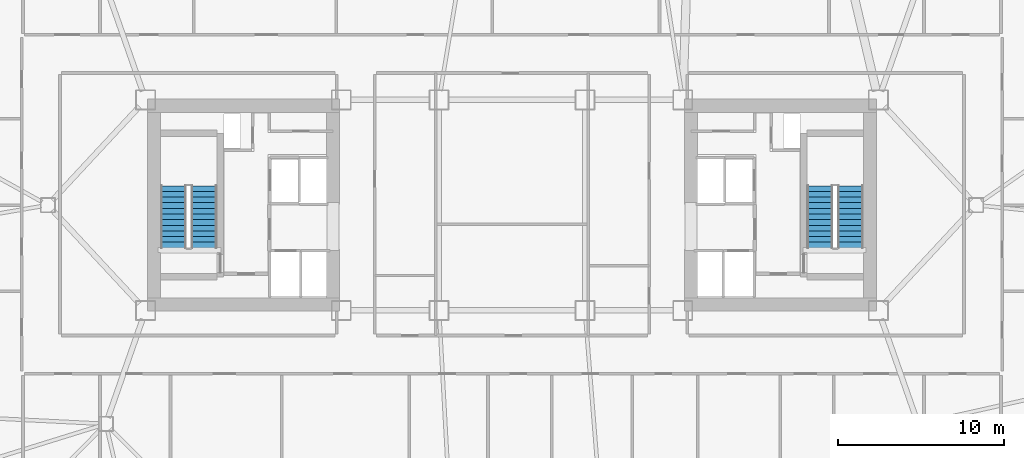
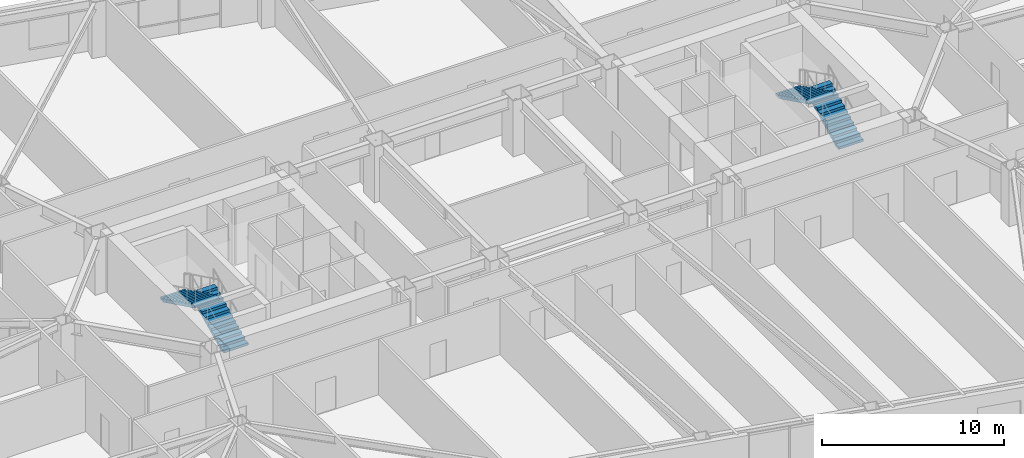
# One storey, part 18 of 23: 4 stair flights, 2 elements without a shape of their own.
"""IFC4 building model written with IfcOpenShell, lengths in metres."""

from ifc_helpers import new_model, si_unit, direction, frame, origin, place, context, subcontext, project, spatial, polyline, outline, extrude, material, type_object, element, aggregate, save


model = new_model("IFC4")

# Units and contexts
model_context = context("Model", 3, precision=1e-05, world=origin(), true_north=direction((0.0, 1.0)))
body_context = subcontext(model_context, "Body", "Model", "MODEL_VIEW")
ifc_project = project(units=[si_unit("LENGTHUNIT", "METRE"), si_unit("AREAUNIT", "SQUARE_METRE"), si_unit("VOLUMEUNIT", "CUBIC_METRE"), si_unit("PLANEANGLEUNIT", "RADIAN"), si_unit("MASSUNIT", "GRAM", prefix="KILO")], contexts=[model_context])

# Site, building, storey
site_placement = place(None, origin())
site = spatial("IfcSite", under=ifc_project, at=site_placement, CompositionType="ELEMENT")
building_placement = place(site_placement, origin())
building = spatial("IfcBuilding", under=site, at=building_placement, Name="Tavrogorsk Clinical Tower", CompositionType="ELEMENT")
storey_placement = place(building_placement, frame((0.0, 0.0, 63.39990234375)))
storey = spatial("IfcBuildingStorey", under=building, at=storey_placement, Name="L13", CompositionType="ELEMENT", Elevation=63.39990234375)

# Stair, stair flights
ifc_material_1 = material(Name="Concrete B60", Category="concrete")
stair_type = type_object("IfcStairType", Name="CoreStairAssembly", PredefinedType="HALF_TURN_STAIR", material=ifc_material_1)
stair_1_placement = place(storey_placement, origin())
stair_1 = element("IfcStair", 1, at=stair_1_placement, inside=storey, type_object=stair_type, Name="L13 ST-W", PredefinedType="HALF_TURN_STAIR")
ifc_material_2 = material(Name="Concrete B60", Category="concrete")
stair_flight_type = type_object("IfcStairFlightType", Name="CoreStairFlight", PredefinedType="STRAIGHT", material=ifc_material_2)
stair_flight_1_placement = place(storey_placement, frame((-18.574951171875, -2.574951171875, 0.0), z_axis=(0.0, 0.0, 1.0), x_axis=(0.0, 1.0, 0.0)))
stair_flight_1 = element("IfcStairFlight", 2, at=stair_flight_1_placement, type_object=stair_flight_type, Name="ST-W flight 1", NumberOfRisers=12, NumberOfTreads=11, PredefinedType="STRAIGHT", RiserHeight=0.166666667, TreadLength=0.34, context=body_context, shape_type="SweptSolid", body=[
    extrude(outline(polyline([(0.0, 0.0), (0.0, 0.166748046875), (0.340087890625, 0.166748046875), (0.340087890625, 0.333251953125), (0.679931640625, 0.333251953125), (0.679931640625, 0.5), (1.02001953125, 0.5), (1.02001953125, 0.666748046875), (1.360107421875, 0.666748046875), (1.360107421875, 0.833251953125), (1.699951171875, 0.833251953125), (1.699951171875, 1.0), (2.0400390625, 1.0), (2.0400390625, 1.166748046875), (2.3798828125, 1.166748046875), (2.3798828125, 1.333251953125), (2.719970703125, 1.333251953125), (2.719970703125, 1.5), (3.06005859375, 1.5), (3.06005859375, 1.666748046875), (3.39990234375, 1.666748046875), (3.39990234375, 1.833251953125), (3.739990234375, 1.833251953125), (3.739990234375, 2.0), (3.739990234375, 1.66650390625), (0.340576171875, 0.0), (0.0, 0.0)])), frame((0.0, 0.77490234375, 0.0), z_axis=(0.0, -1.0, 0.0), x_axis=(1.0, 0.0, 0.0)), (0.0, 0.0, 1.0), 1.550048828125),
])
stair_flight_2_placement = place(storey_placement, frame((-20.425048828125, 1.1650390625, 2.0), z_axis=(0.0, 0.0, 1.0), x_axis=(0.0, -1.0, 0.0)))
stair_flight_2 = element("IfcStairFlight", 3, at=stair_flight_2_placement, type_object=stair_flight_type, Name="ST-W flight 2", NumberOfRisers=12, NumberOfTreads=11, PredefinedType="STRAIGHT", RiserHeight=0.166666667, TreadLength=0.34, context=body_context, shape_type="SweptSolid", body=[
    extrude(outline(polyline([(0.0, 0.0), (0.0, 0.166748046875), (0.340087890625, 0.166748046875), (0.340087890625, 0.333251953125), (0.679931640625, 0.333251953125), (0.679931640625, 0.5), (1.02001953125, 0.5), (1.02001953125, 0.666748046875), (1.360107421875, 0.666748046875), (1.360107421875, 0.833251953125), (1.699951171875, 0.833251953125), (1.699951171875, 1.0), (2.0400390625, 1.0), (2.0400390625, 1.166748046875), (2.3798828125, 1.166748046875), (2.3798828125, 1.333251953125), (2.719970703125, 1.333251953125), (2.719970703125, 1.5), (3.06005859375, 1.5), (3.06005859375, 1.666748046875), (3.39990234375, 1.666748046875), (3.39990234375, 1.833251953125), (3.739990234375, 1.833251953125), (3.739990234375, 2.0), (3.739990234375, 1.66650390625), (0.340576171875, 0.0), (0.0, 0.0)])), frame((0.0, 0.77490234375, 0.0), z_axis=(0.0, -1.0, 0.0), x_axis=(1.0, 0.0, 0.0)), (0.0, 0.0, 1.0), 1.550048828125),
])
aggregate(stair_1, [stair_flight_1, stair_flight_2])

stair_2_placement = place(storey_placement, origin())
stair_2 = element("IfcStair", 4, at=stair_2_placement, inside=storey, type_object=stair_type, Name="L13 ST-E", PredefinedType="HALF_TURN_STAIR")
stair_flight_3_placement = place(storey_placement, frame((20.425048828125, -2.574951171875, 0.0), z_axis=(0.0, 0.0, 1.0), x_axis=(0.0, 1.0, 0.0)))
stair_flight_3 = element("IfcStairFlight", 5, at=stair_flight_3_placement, type_object=stair_flight_type, Name="ST-E flight 1", NumberOfRisers=12, NumberOfTreads=11, PredefinedType="STRAIGHT", RiserHeight=0.166666667, TreadLength=0.34, context=body_context, shape_type="SweptSolid", body=[
    extrude(outline(polyline([(0.0, 0.0), (0.0, 0.166748046875), (0.340087890625, 0.166748046875), (0.340087890625, 0.333251953125), (0.679931640625, 0.333251953125), (0.679931640625, 0.5), (1.02001953125, 0.5), (1.02001953125, 0.666748046875), (1.360107421875, 0.666748046875), (1.360107421875, 0.833251953125), (1.699951171875, 0.833251953125), (1.699951171875, 1.0), (2.0400390625, 1.0), (2.0400390625, 1.166748046875), (2.3798828125, 1.166748046875), (2.3798828125, 1.333251953125), (2.719970703125, 1.333251953125), (2.719970703125, 1.5), (3.06005859375, 1.5), (3.06005859375, 1.666748046875), (3.39990234375, 1.666748046875), (3.39990234375, 1.833251953125), (3.739990234375, 1.833251953125), (3.739990234375, 2.0), (3.739990234375, 1.66650390625), (0.340576171875, 0.0), (0.0, 0.0)])), frame((0.0, 0.77490234375, 0.0), z_axis=(0.0, -1.0, 0.0), x_axis=(1.0, 0.0, 0.0)), (0.0, 0.0, 1.0), 1.550048828125),
])
stair_flight_4_placement = place(storey_placement, frame((18.574951171875, 1.1650390625, 2.0), z_axis=(0.0, 0.0, 1.0), x_axis=(0.0, -1.0, 0.0)))
stair_flight_4 = element("IfcStairFlight", 6, at=stair_flight_4_placement, type_object=stair_flight_type, Name="ST-E flight 2", NumberOfRisers=12, NumberOfTreads=11, PredefinedType="STRAIGHT", RiserHeight=0.166666667, TreadLength=0.34, context=body_context, shape_type="SweptSolid", body=[
    extrude(outline(polyline([(0.0, 0.0), (0.0, 0.166748046875), (0.340087890625, 0.166748046875), (0.340087890625, 0.333251953125), (0.679931640625, 0.333251953125), (0.679931640625, 0.5), (1.02001953125, 0.5), (1.02001953125, 0.666748046875), (1.360107421875, 0.666748046875), (1.360107421875, 0.833251953125), (1.699951171875, 0.833251953125), (1.699951171875, 1.0), (2.0400390625, 1.0), (2.0400390625, 1.166748046875), (2.3798828125, 1.166748046875), (2.3798828125, 1.333251953125), (2.719970703125, 1.333251953125), (2.719970703125, 1.5), (3.06005859375, 1.5), (3.06005859375, 1.666748046875), (3.39990234375, 1.666748046875), (3.39990234375, 1.833251953125), (3.739990234375, 1.833251953125), (3.739990234375, 2.0), (3.739990234375, 1.66650390625), (0.340576171875, 0.0), (0.0, 0.0)])), frame((0.0, 0.77490234375, 0.0), z_axis=(0.0, -1.0, 0.0), x_axis=(1.0, 0.0, 0.0)), (0.0, 0.0, 1.0), 1.550048828125),
])
aggregate(stair_2, [stair_flight_3, stair_flight_4])

save(model, "model.ifc")
